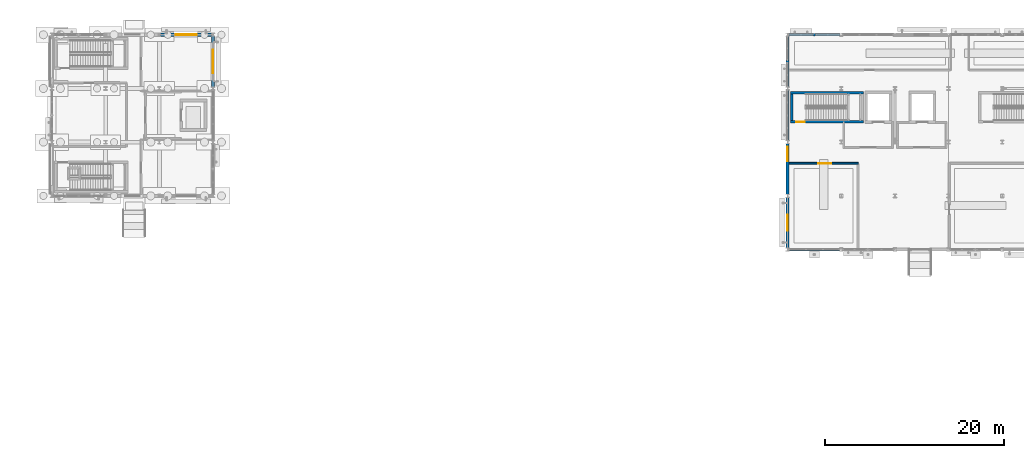
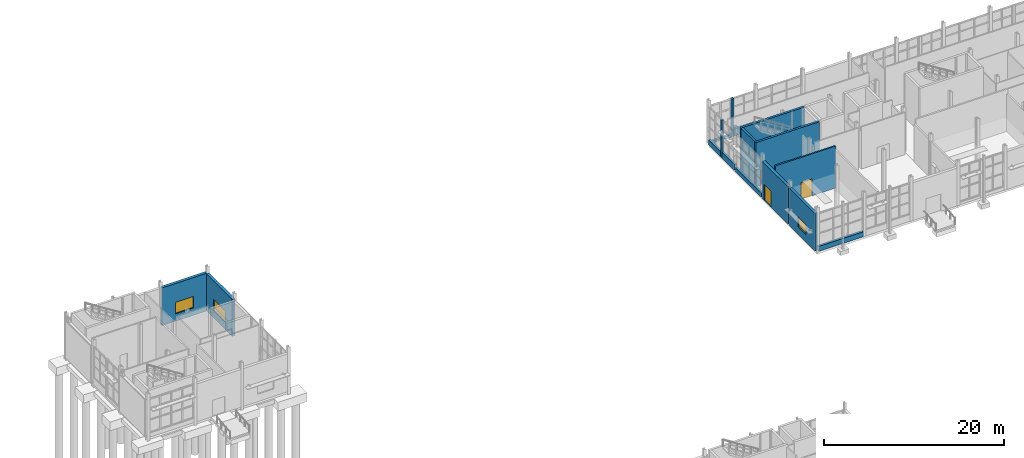
# One storey, part 100 of 120: 16 walls, 3 doors, 3 windows, 6 openings.
"""IFC4 building model written with IfcOpenShell, lengths in metres."""

from ifc_helpers import new_model, si_unit, direction, frame, frame_2d, origin, place, context, subcontext, project, spatial, rectangle, extrude, material, layer, layer_set, type_object, element, fill, save


model = new_model("IFC4")

# Units and contexts
model_context = context("Model", 3, precision=1e-05, world=origin(), true_north=direction((0.0, 1.0)))
body_context = subcontext(model_context, "Body", "Model", "MODEL_VIEW")
ifc_project = project(units=[si_unit("LENGTHUNIT", "METRE"), si_unit("AREAUNIT", "SQUARE_METRE"), si_unit("VOLUMEUNIT", "CUBIC_METRE"), si_unit("PLANEANGLEUNIT", "RADIAN"), si_unit("MASSUNIT", "GRAM", prefix="KILO")], contexts=[model_context])

# Site, building, storey
site_placement = place(None, origin())
site = spatial("IfcSite", under=ifc_project, at=site_placement, CompositionType="ELEMENT")
building_placement = place(site_placement, origin())
building = spatial("IfcBuilding", under=site, at=building_placement, Name="Siltcreek Boulevard Central Fire Station", CompositionType="ELEMENT")
storey_placement = place(building_placement, origin())
storey = spatial("IfcBuildingStorey", under=building, at=storey_placement, Name="L01", CompositionType="ELEMENT", Elevation=0.0)

# Wall, opening, door
ifc_material_1 = material(Name="Concrete C40/50", Category="concrete")
ifc_layer_1 = layer(ifc_material_1, 0.280029296875, Name="Concrete C40/50")
ifc_layer_set_1 = layer_set([ifc_layer_1], Name="Concrete C40/50")
wall_type_1 = type_object("IfcWallType", Name="CW_SHEAR280", PredefinedType="SHEAR", material=ifc_layer_set_1)
wall_1_placement = place(storey_placement, frame((124.52001953125, 102.4599609375, 0.0), z_axis=(0.0, 0.0, 1.0), x_axis=(1.0, 0.0, 0.0)))
wall_1 = element("IfcWall", 1, at=wall_1_placement, inside=storey, type_object=wall_type_1, Name="L01 ST-V5A stair enclosure south shear wall", PredefinedType="SHEAR", context=body_context, shape_type="SweptSolid", body=[
    extrude(rectangle(XDim=8.159912109375, YDim=0.280029296875, at=frame_2d((4.080078125, 0.0))), origin(), (0.0, 0.0, 1.0), 6.0),
])
opening_1_placement = place(wall_1_placement, frame((0.64990234375, 0.0, 0.0)))
opening_1 = element("IfcOpeningElement", 2, at=opening_1_placement, cuts=wall_1, Name="Opening SD-033", PredefinedType="OPENING", context=body_context, shape_type="SweptSolid", body=[
    extrude(rectangle(XDim=0.97998046875, YDim=2.14990234375, at=frame_2d((0.489990234375, 1.074951171875))), frame((0.0, 0.14990234375, 0.0), z_axis=(0.0, -1.0, 0.0), x_axis=(1.0, 0.0, 0.0)), (0.0, 0.0, 1.0), 0.300048828125),
])
ifc_material_2 = material(Name="Hollow metal 90-min enclosed stair door")
door_type_1 = type_object("IfcDoorType", Name="DR_ST_098X215", OperationType="NOTDEFINED", PredefinedType="DOOR", material=ifc_material_2)
door_1_placement = place(opening_1_placement, origin())
door_1 = element("IfcDoor", 3, at=door_1_placement, inside=storey, type_object=door_type_1, Name="L01 ST-V5A enclosed exit stair door SD-033", OperationType="SINGLE_SWING_RIGHT", OverallHeight=2.14990234375, OverallWidth=0.97998046875, PredefinedType="DOOR", context=body_context, shape_type="SweptSolid", body=[
    extrude(rectangle(XDim=0.97998046875, YDim=2.14990234375, at=frame_2d((0.489990234375, 1.074951171875))), frame((0.0, 0.02490234375, 0.0), z_axis=(0.0, -1.0, 0.0), x_axis=(1.0, 0.0, 0.0)), (0.0, 0.0, 1.0), 0.050048828125),
])
fill(opening_1, door_1)

# Walls
wall_2_placement = place(storey_placement, frame((132.679931640625, 105.739990234375, 0.0), z_axis=(0.0, 0.0, 1.0), x_axis=(-1.0, 0.0, 0.0)))
element("IfcWall", 4, at=wall_2_placement, inside=storey, type_object=wall_type_1, Name="L01 ST-V5A stair enclosure north shear wall", PredefinedType="SHEAR", context=body_context, shape_type="SweptSolid", body=[
    extrude(rectangle(XDim=8.159912109375, YDim=0.280029296875, at=frame_2d((4.080078125, 0.0))), origin(), (0.0, 0.0, 1.0), 6.0),
])
wall_3_placement = place(storey_placement, frame((124.659912109375, 105.60009765625, 0.0), z_axis=(0.0, 0.0, 1.0), x_axis=(0.0, -1.0, 0.0)))
element("IfcWall", 5, at=wall_3_placement, inside=storey, type_object=wall_type_1, Name="L01 ST-V5A stair enclosure west shear wall", PredefinedType="SHEAR", context=body_context, shape_type="SweptSolid", body=[
    extrude(rectangle(XDim=3.0, YDim=0.280029296875, at=frame_2d((1.5, 0.0))), origin(), (0.0, 0.0, 1.0), 6.0),
])

# Wall, opening, window
ifc_material_3 = material(Name="Terracotta brick rainscreen on steel stud", Category="masonry")
ifc_layer_2 = layer(ifc_material_3, 0.35009765625, Name="Terracotta brick rainscreen on steel stud")
ifc_layer_set_2 = layer_set([ifc_layer_2], Name="Terracotta brick rainscreen on steel stud")
wall_type_2 = type_object("IfcWallType", Name="EW_BRICK350", PredefinedType="STANDARD", material=ifc_layer_set_2)
wall_4_placement = place(storey_placement, frame((59.85498046875, 112.199951171875, 0.0), z_axis=(0.0, 0.0, 1.0), x_axis=(-1.0, 0.0, 0.0)))
wall_4 = element("IfcWall", 6, at=wall_4_placement, inside=storey, type_object=wall_type_2, Name="L01 V3 exterior insulated rainscreen wall WL-EXT-L01-0112", PredefinedType="STANDARD", context=body_context, shape_type="SweptSolid", body=[
    extrude(rectangle(XDim=5.7099609375, YDim=0.35009765625, at=frame_2d((2.85498046875, 0.0))), origin(), (0.0, 0.0, 1.0), 5.113037109375),
])
opening_2_placement = place(wall_4_placement, frame((1.679931640625, 0.0, 1.0)))
opening_2 = element("IfcOpeningElement", 7, at=opening_2_placement, cuts=wall_4, Name="Opening WN16", PredefinedType="OPENING", context=body_context, shape_type="SweptSolid", body=[
    extrude(rectangle(XDim=2.35009765625, YDim=1.550048828125, at=frame_2d((1.175048828125, 0.77490234375))), frame((0.0, 0.18505859375, 0.0), z_axis=(0.0, -1.0, 0.0), x_axis=(1.0, 0.0, 0.0)), (0.0, 0.0, 1.0), 0.3701171875),
])
ifc_material_4 = material(Name="Thermally broken aluminum frame with low-E insulated glass", Category="aluminium")
window_type_1 = type_object("IfcWindowType", Name="WN_PB_235X155", PartitioningType="SINGLE_PANEL", PredefinedType="WINDOW", material=ifc_material_4)
window_1_placement = place(opening_2_placement, origin())
window_1 = element("IfcWindow", 8, at=window_1_placement, inside=storey, type_object=window_type_1, Name="L01 V3 exterior window WN-0083", OverallHeight=1.550048828125, OverallWidth=2.35009765625, PartitioningType="SINGLE_PANEL", PredefinedType="WINDOW", context=body_context, shape_type="SweptSolid", body=[
    extrude(rectangle(XDim=2.35009765625, YDim=1.550048828125, at=frame_2d((1.175048828125, 0.77490234375))), frame((0.0, 0.030029296875, 0.0), z_axis=(0.0, -1.0, 0.0), x_axis=(1.0, 0.0, 0.0)), (0.0, 0.0, 1.0), 0.06005859375),
])
fill(opening_2, window_1)

wall_5_placement = place(storey_placement, frame((60.0, 106.344970703125, 0.0), z_axis=(0.0, 0.0, 1.0), x_axis=(0.0, 1.0, 0.0)))
wall_5 = element("IfcWall", 9, at=wall_5_placement, inside=storey, type_object=wall_type_2, Name="L01 V3 exterior insulated rainscreen wall WL-EXT-L01-0122", PredefinedType="STANDARD", context=body_context, shape_type="SweptSolid", body=[
    extrude(rectangle(XDim=5.7099609375, YDim=0.35009765625, at=frame_2d((2.85498046875, 0.0))), origin(), (0.0, 0.0, 1.0), 5.0439453125),
])
opening_3_placement = place(wall_5_placement, frame((1.530029296875, 0.0, 1.0)))
opening_3 = element("IfcOpeningElement", 10, at=opening_3_placement, cuts=wall_5, Name="Opening WN17", PredefinedType="OPENING", context=body_context, shape_type="SweptSolid", body=[
    extrude(rectangle(XDim=2.64990234375, YDim=1.550048828125, at=frame_2d((1.324951171875, 0.77490234375))), frame((0.0, 0.18505859375, 0.0), z_axis=(0.0, -1.0, 0.0), x_axis=(1.0, 0.0, 0.0)), (0.0, 0.0, 1.0), 0.3701171875),
])
window_type_2 = type_object("IfcWindowType", Name="WN_PB_265X155", PartitioningType="SINGLE_PANEL", PredefinedType="WINDOW", material=ifc_material_4)
window_2_placement = place(opening_3_placement, origin())
window_2 = element("IfcWindow", 11, at=window_2_placement, inside=storey, type_object=window_type_2, Name="L01 V3 exterior window WN-0084", OverallHeight=1.550048828125, OverallWidth=2.64990234375, PartitioningType="SINGLE_PANEL", PredefinedType="WINDOW", context=body_context, shape_type="SweptSolid", body=[
    extrude(rectangle(XDim=2.64990234375, YDim=1.550048828125, at=frame_2d((1.324951171875, 0.77490234375))), frame((0.0, 0.030029296875, 0.0), z_axis=(0.0, -1.0, 0.0), x_axis=(1.0, 0.0, 0.0)), (0.0, 0.0, 1.0), 0.06005859375),
])
fill(opening_3, window_2)

wall_6_placement = place(storey_placement, frame((124.199951171875, 94.054931640625, 0.0), z_axis=(0.0, 0.0, 1.0), x_axis=(0.0, -1.0, 0.0)))
wall_6 = element("IfcWall", 12, at=wall_6_placement, inside=storey, type_object=wall_type_2, Name="L01 V5 exterior insulated rainscreen wall WL-EXT-L01-0319", PredefinedType="STANDARD", context=body_context, shape_type="SweptSolid", body=[
    extrude(rectangle(XDim=5.7099609375, YDim=0.35009765625, at=frame_2d((2.85498046875, 0.0))), origin(), (0.0, 0.0, 1.0), 5.0439453125),
])
opening_4_placement = place(wall_6_placement, frame((1.955078125, 0.0, 1.0)))
opening_4 = element("IfcOpeningElement", 13, at=opening_4_placement, cuts=wall_6, Name="Opening WN08", PredefinedType="OPENING", context=body_context, shape_type="SweptSolid", body=[
    extrude(rectangle(XDim=1.800048828125, YDim=1.360107421875, at=frame_2d((0.89990234375, 0.68017578125))), frame((0.0, 0.18505859375, 0.0), z_axis=(0.0, -1.0, 0.0), x_axis=(1.0, 0.0, 0.0)), (0.0, 0.0, 1.0), 0.3701171875),
])
window_type_3 = type_object("IfcWindowType", Name="WN_PB_180X136", PartitioningType="SINGLE_PANEL", PredefinedType="WINDOW", material=ifc_material_4)
window_3_placement = place(opening_4_placement, origin())
window_3 = element("IfcWindow", 14, at=window_3_placement, inside=storey, type_object=window_type_3, Name="L01 V5 exterior window WN-0149", OverallHeight=1.360107421875, OverallWidth=1.800048828125, PartitioningType="SINGLE_PANEL", PredefinedType="WINDOW", context=body_context, shape_type="SweptSolid", body=[
    extrude(rectangle(XDim=1.800048828125, YDim=1.360107421875, at=frame_2d((0.89990234375, 0.68017578125))), frame((0.0, 0.030029296875, 0.0), z_axis=(0.0, -1.0, 0.0), x_axis=(1.0, 0.0, 0.0)), (0.0, 0.0, 1.0), 0.06005859375),
])
fill(opening_4, window_3)

# Wall, opening, door
wall_7_placement = place(storey_placement, frame((124.199951171875, 100.054931640625, 0.0), z_axis=(0.0, 0.0, 1.0), x_axis=(0.0, -1.0, 0.0)))
wall_7 = element("IfcWall", 15, at=wall_7_placement, inside=storey, type_object=wall_type_2, Name="L01 V5 exterior insulated rainscreen wall WL-EXT-L01-0320", PredefinedType="STANDARD", context=body_context, shape_type="SweptSolid", body=[
    extrude(rectangle(XDim=5.7099609375, YDim=0.35009765625, at=frame_2d((2.85498046875, 0.0))), origin(), (0.0, 0.0, 1.0), 5.0439453125),
])
opening_5_placement = place(wall_7_placement, frame((0.38623046875, 0.0, 0.0)))
opening_5 = element("IfcOpeningElement", 16, at=opening_5_placement, cuts=wall_7, Name="Opening ED-127", PredefinedType="OPENING", context=body_context, shape_type="SweptSolid", body=[
    extrude(rectangle(XDim=1.6201171875, YDim=2.199951171875, at=frame_2d((0.81005859375, 1.10009765625))), frame((0.0, 0.18505859375, 0.0), z_axis=(0.0, -1.0, 0.0), x_axis=(1.0, 0.0, 0.0)), (0.0, 0.0, 1.0), 0.3701171875),
])
ifc_material_5 = material(Name="Thermally broken glazed terrace pair")
door_type_2 = type_object("IfcDoorType", Name="DR_TER_162X220", OperationType="NOTDEFINED", PredefinedType="DOOR", material=ifc_material_5)
door_2_placement = place(opening_5_placement, frame((1.6201171875, 0.0, 0.0), z_axis=(0.0, 0.0, 1.0), x_axis=(-1.0, 0.0, 0.0)))
door_2 = element("IfcDoor", 17, at=door_2_placement, inside=storey, type_object=door_type_2, Name="Ground level pedestrian final exit door ED-127", OperationType="SINGLE_SWING_RIGHT", OverallHeight=2.199951171875, OverallWidth=1.6201171875, PredefinedType="DOOR", context=body_context, shape_type="SweptSolid", body=[
    extrude(rectangle(XDim=1.6201171875, YDim=2.199951171875, at=frame_2d((0.81005859375, 1.10009765625))), frame((0.0, 0.02490234375, 0.0), z_axis=(0.0, -1.0, 0.0), x_axis=(1.0, 0.0, 0.0)), (0.0, 0.0, 1.0), 0.050048828125),
])
fill(opening_5, door_2)

# Walls
ifc_material_6 = material(Name="White ribbed aluminum spandrel wall", Category="aluminium")
ifc_layer_3 = layer(ifc_material_6, 0.2900390625, Name="White ribbed aluminum spandrel wall")
ifc_layer_set_3 = layer_set([ifc_layer_3], Name="White ribbed aluminum spandrel wall")
wall_type_3 = type_object("IfcWallType", Name="EW_METAL290", PredefinedType="STANDARD", material=ifc_layer_set_3)
wall_8_placement = place(storey_placement, frame((124.344970703125, 88.199951171875, 0.0), z_axis=(0.0, 0.0, 1.0), x_axis=(1.0, 0.0, 0.0)))
element("IfcWall", 18, at=wall_8_placement, inside=storey, type_object=wall_type_3, Name="L01 V5 curtain-wall sill spandrel 0293", PredefinedType="STANDARD", context=body_context, shape_type="SweptSolid", body=[
    extrude(rectangle(XDim=5.7099609375, YDim=0.2900390625, at=frame_2d((2.85498046875, 0.0))), origin(), (0.0, 0.0, 1.0), 0.679931640625),
])
wall_9_placement = place(storey_placement, frame((127.340087890625, 112.199951171875, 0.0), z_axis=(0.0, 0.0, 1.0), x_axis=(-1.0, 0.0, 0.0)))
element("IfcWall", 19, at=wall_9_placement, inside=storey, type_object=wall_type_3, Name="L01 V5 facade pier 0306", PredefinedType="STANDARD", context=body_context, shape_type="SweptSolid", body=[
    extrude(rectangle(XDim=0.280029296875, YDim=0.2900390625, at=frame_2d((0.14013671875, 0.0))), origin(), (0.0, 0.0, 1.0), 5.113037109375),
])
wall_10_placement = place(storey_placement, frame((130.054931640625, 112.199951171875, 0.0), z_axis=(0.0, 0.0, 1.0), x_axis=(-1.0, 0.0, 0.0)))
element("IfcWall", 20, at=wall_10_placement, inside=storey, type_object=wall_type_3, Name="L01 V5 curtain-wall sill spandrel 0307", PredefinedType="STANDARD", context=body_context, shape_type="SweptSolid", body=[
    extrude(rectangle(XDim=2.71484375, YDim=0.2900390625, at=frame_2d((1.357421875, 0.0))), origin(), (0.0, 0.0, 1.0), 0.919921875),
])
wall_11_placement = place(storey_placement, frame((127.06005859375, 112.199951171875, 0.0), z_axis=(0.0, 0.0, 1.0), x_axis=(-1.0, 0.0, 0.0)))
element("IfcWall", 21, at=wall_11_placement, inside=storey, type_object=wall_type_3, Name="L01 V5 curtain-wall sill spandrel 0308", PredefinedType="STANDARD", context=body_context, shape_type="SweptSolid", body=[
    extrude(rectangle(XDim=2.715087890625, YDim=0.2900390625, at=frame_2d((1.357421875, 0.0))), origin(), (0.0, 0.0, 1.0), 0.320068359375),
])
wall_12_placement = place(storey_placement, frame((124.199951171875, 106.054931640625, 0.0), z_axis=(0.0, 0.0, 1.0), x_axis=(0.0, -1.0, 0.0)))
element("IfcWall", 22, at=wall_12_placement, inside=storey, type_object=wall_type_3, Name="L01 V5 curtain-wall sill spandrel 0321", PredefinedType="STANDARD", context=body_context, shape_type="SweptSolid", body=[
    extrude(rectangle(XDim=5.7099609375, YDim=0.2900390625, at=frame_2d((2.85498046875, 0.0))), origin(), (0.0, 0.0, 1.0), 0.56005859375),
])
wall_13_placement = place(storey_placement, frame((124.199951171875, 109.340087890625, 0.0), z_axis=(0.0, 0.0, 1.0), x_axis=(0.0, -1.0, 0.0)))
element("IfcWall", 23, at=wall_13_placement, inside=storey, type_object=wall_type_3, Name="L01 V5 facade pier 0322", PredefinedType="STANDARD", context=body_context, shape_type="SweptSolid", body=[
    extrude(rectangle(XDim=0.280029296875, YDim=0.2900390625, at=frame_2d((0.14013671875, 0.0))), origin(), (0.0, 0.0, 1.0), 5.0439453125),
])
wall_14_placement = place(storey_placement, frame((124.199951171875, 112.054931640625, 0.0), z_axis=(0.0, 0.0, 1.0), x_axis=(0.0, -1.0, 0.0)))
element("IfcWall", 24, at=wall_14_placement, inside=storey, type_object=wall_type_3, Name="L01 V5 curtain-wall sill spandrel 0323", PredefinedType="STANDARD", context=body_context, shape_type="SweptSolid", body=[
    extrude(rectangle(XDim=2.71484375, YDim=0.2900390625, at=frame_2d((1.357421875, 0.0))), origin(), (0.0, 0.0, 1.0), 0.679931640625),
])
wall_15_placement = place(storey_placement, frame((124.199951171875, 109.06005859375, 0.0), z_axis=(0.0, 0.0, 1.0), x_axis=(0.0, -1.0, 0.0)))
element("IfcWall", 25, at=wall_15_placement, inside=storey, type_object=wall_type_3, Name="L01 V5 curtain-wall sill spandrel 0324", PredefinedType="STANDARD", context=body_context, shape_type="SweptSolid", body=[
    extrude(rectangle(XDim=2.715087890625, YDim=0.2900390625, at=frame_2d((1.357421875, 0.0))), origin(), (0.0, 0.0, 1.0), 0.800048828125),
])

# Wall, opening, door
ifc_material_7 = material(Name="Fire-rated concrete masonry and gypsum barrier", Category="masonry")
ifc_layer_4 = layer(ifc_material_7, 0.199951171875, Name="Fire-rated concrete masonry and gypsum barrier")
ifc_layer_set_4 = layer_set([ifc_layer_4], Name="Fire-rated concrete masonry and gypsum barrier")
wall_type_4 = type_object("IfcWallType", Name="IW_FIRE200", PredefinedType="PARTITIONING", material=ifc_layer_set_4)
wall_16_placement = place(storey_placement, frame((124.375, 97.840087890625, 0.0), z_axis=(0.0, 0.0, 1.0), x_axis=(1.0, 0.0, 0.0)))
wall_16 = element("IfcWall", 26, at=wall_16_placement, inside=storey, type_object=wall_type_4, Name="L01 Fire Command Centre partition 0074", PredefinedType="PARTITIONING", context=body_context, shape_type="SweptSolid", body=[
    extrude(rectangle(XDim=7.7451171875, YDim=0.199951171875, at=frame_2d((3.87255859375, 0.0))), origin(), (0.0, 0.0, 1.0), 5.679931640625),
])
opening_6_placement = place(wall_16_placement, frame((3.2529296875, 0.0, 0.0)))
opening_6 = element("IfcOpeningElement", 27, at=opening_6_placement, cuts=wall_16, Name="Opening ID11", PredefinedType="OPENING", context=body_context, shape_type="SweptSolid", body=[
    extrude(rectangle(XDim=1.4599609375, YDim=2.300048828125, at=frame_2d((0.72998046875, 1.14990234375))), frame((0.0, 0.10986328125, 0.0), z_axis=(0.0, -1.0, 0.0), x_axis=(1.0, 0.0, 0.0)), (0.0, 0.0, 1.0), 0.219970703125),
])
ifc_material_8 = material(Name="Hollow metal mechanical plant double-wide door")
door_type_3 = type_object("IfcDoorType", Name="DR_PLT_146X230", OperationType="NOTDEFINED", PredefinedType="DOOR", material=ifc_material_8)
door_3_placement = place(opening_6_placement, frame((1.4599609375, 0.0, 0.0), z_axis=(0.0, 0.0, 1.0), x_axis=(-1.0, 0.0, 0.0)))
door_3 = element("IfcDoor", 28, at=door_3_placement, inside=storey, type_object=door_type_3, Name="L01 Fire Command Centre door ID-0034", OperationType="SINGLE_SWING_LEFT", OverallHeight=2.300048828125, OverallWidth=1.4599609375, PredefinedType="DOOR", context=body_context, shape_type="SweptSolid", body=[
    extrude(rectangle(XDim=1.4599609375, YDim=2.300048828125, at=frame_2d((0.72998046875, 1.14990234375))), frame((0.0, 0.02490234375, 0.0), z_axis=(0.0, -1.0, 0.0), x_axis=(1.0, 0.0, 0.0)), (0.0, 0.0, 1.0), 0.050048828125),
])
fill(opening_6, door_3)

save(model, "model.ifc")
